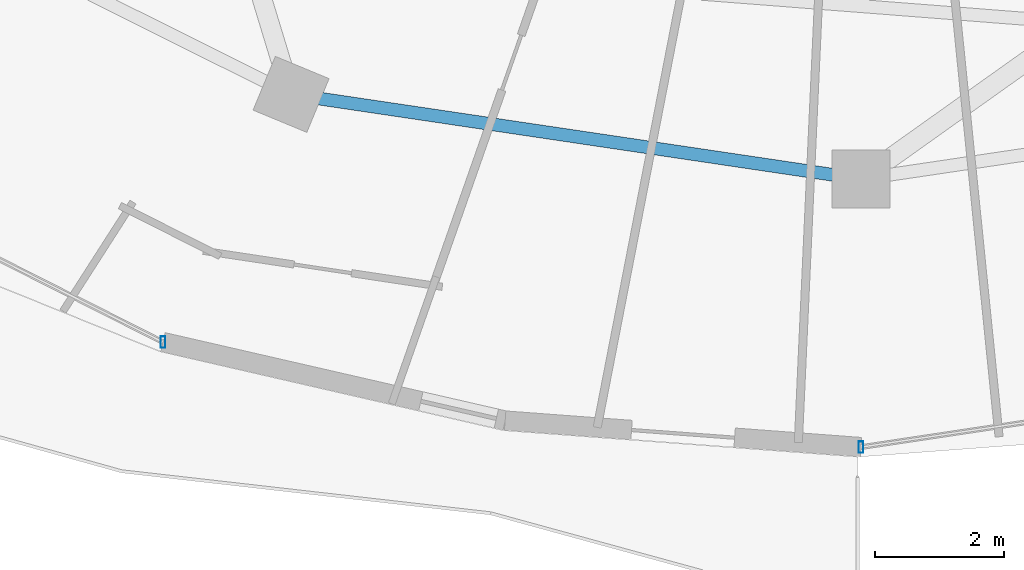
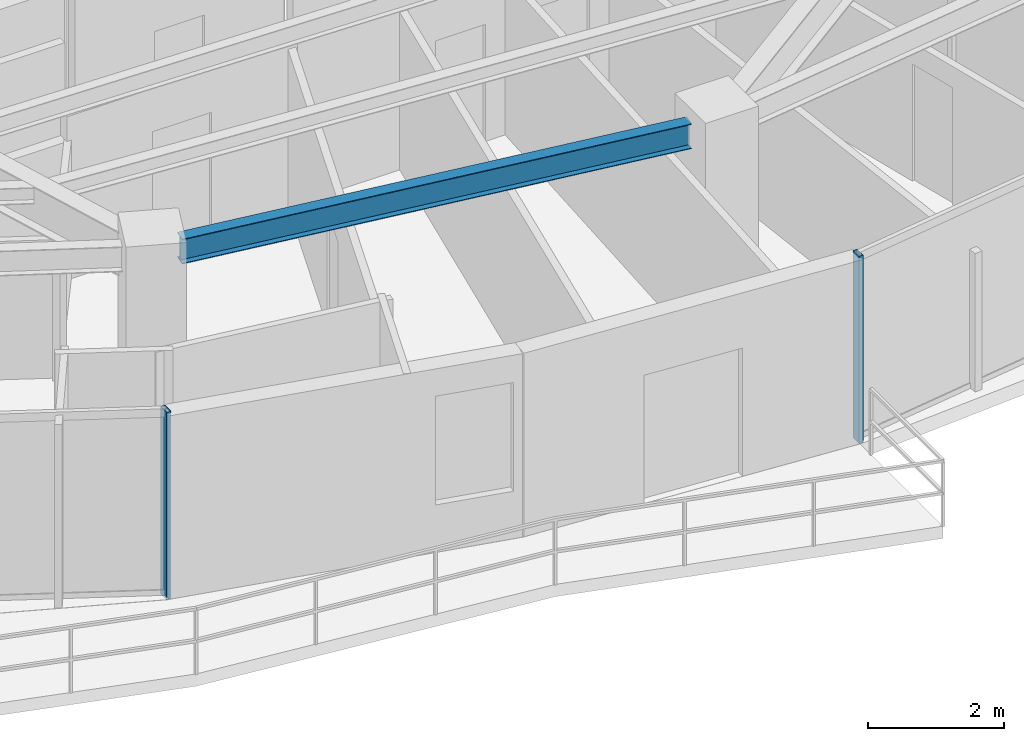
# One storey, part 5 of 33: 2 members, 1 beam, 2 elements without a shape of their own.
"""IFC4 building model written with IfcOpenShell, lengths in metres."""

from ifc_helpers import new_model, si_unit, direction, frame, origin, origin_2d, place, context, subcontext, project, spatial, hollow_rectangle, i_section, extrude, material, material_profile, profile_set, type_object, element, aggregate, save


model = new_model("IFC4")

# Units and contexts
model_context = context("Model", 3, precision=1e-05, world=origin(), true_north=direction((0.0, 1.0)))
body_context = subcontext(model_context, "Body", "Model", "MODEL_VIEW")
ifc_project = project(units=[si_unit("LENGTHUNIT", "METRE"), si_unit("AREAUNIT", "SQUARE_METRE"), si_unit("VOLUMEUNIT", "CUBIC_METRE"), si_unit("PLANEANGLEUNIT", "RADIAN"), si_unit("MASSUNIT", "GRAM", prefix="KILO")], contexts=[model_context])

# Site, building, storey
site_placement = place(None, origin())
site = spatial("IfcSite", under=ifc_project, at=site_placement, CompositionType="ELEMENT")
building_placement = place(site_placement, origin())
building = spatial("IfcBuilding", under=site, at=building_placement, Name="Vorneva Point Tower", CompositionType="ELEMENT")
storey_placement = place(building_placement, frame((0.0, 0.0, 217.85009765625)))
storey = spatial("IfcBuildingStorey", under=building, at=storey_placement, Name="L59", CompositionType="ELEMENT", Elevation=217.85009765625)

# Beam
ifc_material_1 = material(Name="Steel S355", Category="steel")
ifc_material_profile_1 = material_profile(ifc_material_1, i_section(OverallWidth=0.198974609375, OverallDepth=0.446044921875, WebThickness=0.008056640625, FlangeThickness=0.011962890625, at=origin_2d()), Name="45B1")
ifc_profile_set_1 = profile_set([ifc_material_profile_1], Name="Steel S355")
beam_type = type_object("IfcBeamType", Name="BM-SPN-45B1", PredefinedType="SPANDREL", material=ifc_profile_set_1)
beam_placement = place(storey_placement, frame((29.609375, 10.04541015625, 3.06689453125), z_axis=(0.989165476332, -0.146804837907, 0.0), x_axis=(0.146804837907, 0.989165476332, 0.0)))
element("IfcBeam", 1, at=beam_placement, inside=storey, type_object=beam_type, Name="L59 Perimeter Spandrel Ring Beam 12", PredefinedType="SPANDREL", context=body_context, shape_type="SweptSolid", body=[
    extrude(i_section(OverallWidth=0.198974609375, OverallDepth=0.446044921875, WebThickness=0.008056640625, FlangeThickness=0.011962890625, at=origin_2d()), origin(), (0.0, 0.0, 1.0), 8.04736328125),
])

# Curtain wall, member
ifc_material_2 = material(Name="Pale anodised aluminium", Category="aluminium")
curtain_wall_type = type_object("IfcCurtainWallType", Name="CW-RES-SYS", PredefinedType="NOTDEFINED", material=ifc_material_2)
curtain_wall_1_placement = place(storey_placement, origin())
curtain_wall_1 = element("IfcCurtainWall", 2, at=curtain_wall_1_placement, inside=storey, type_object=curtain_wall_type, Name="L59 Unitised Curtain Wall CW-L59-R02", PredefinedType="NOTDEFINED")
ifc_material_profile_2 = material_profile(ifc_material_2, hollow_rectangle(XDim=0.074951171875, YDim=0.179931640625, WallThickness=0.00390625, at=origin_2d()), Name="AL-MUL 180x75x4")
ifc_profile_set_2 = profile_set([ifc_material_profile_2], Name="Pale anodised aluminium")
member_type = type_object("IfcMemberType", Name="CW-MUL-180", PredefinedType="MULLION", material=ifc_profile_set_2)
member_1_placement = place(storey_placement, frame((27.19677734375, 6.275146484375, -0.0400390625), z_axis=(0.0, 0.0, 1.0), x_axis=(1.0, 0.0, 0.0)))
member_1 = element("IfcMember", 3, at=member_1_placement, type_object=member_type, Name="CW-L59-R02 Mullion 06", PredefinedType="MULLION", context=body_context, shape_type="SweptSolid", body=[
    extrude(hollow_rectangle(XDim=0.074951171875, YDim=0.179931640625, WallThickness=0.00390625, at=origin_2d()), origin(), (0.0, 0.0, 1.0), 3.35986328125),
])
aggregate(curtain_wall_1, [member_1])

curtain_wall_2_placement = place(storey_placement, origin())
curtain_wall_2 = element("IfcCurtainWall", 4, at=curtain_wall_2_placement, inside=storey, type_object=curtain_wall_type, Name="L59 Unitised Curtain Wall CW-L59-R03", PredefinedType="NOTDEFINED")
member_2_placement = place(storey_placement, frame((38.0, 4.64990234375, -0.0400390625), z_axis=(0.0, 0.0, 1.0), x_axis=(1.0, 0.0, 0.0)))
member_2 = element("IfcMember", 5, at=member_2_placement, type_object=member_type, Name="CW-L59-R03 Mullion 01", PredefinedType="MULLION", context=body_context, shape_type="SweptSolid", body=[
    extrude(hollow_rectangle(XDim=0.074951171875, YDim=0.179931640625, WallThickness=0.00390625, at=origin_2d()), origin(), (0.0, 0.0, 1.0), 3.35986328125),
])
aggregate(curtain_wall_2, [member_2])

save(model, "model.ifc")
